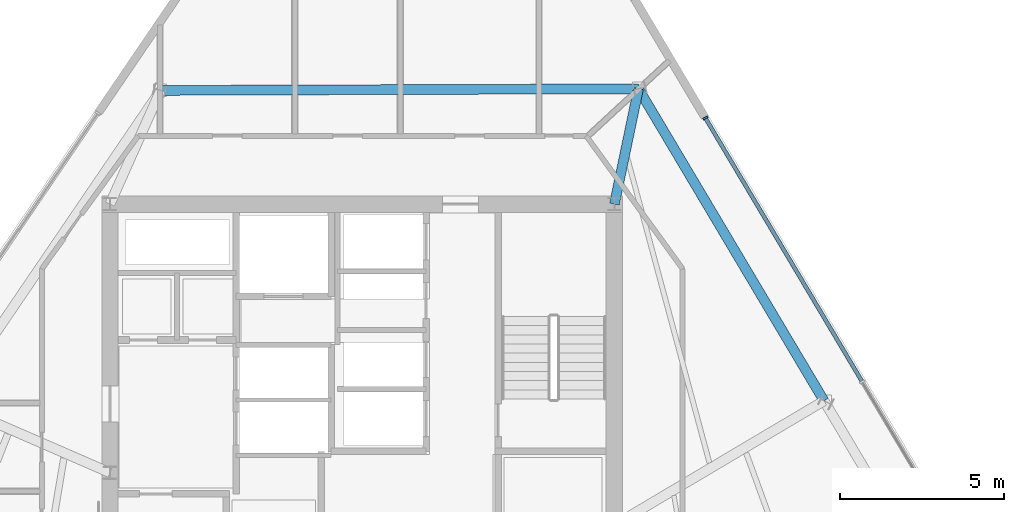
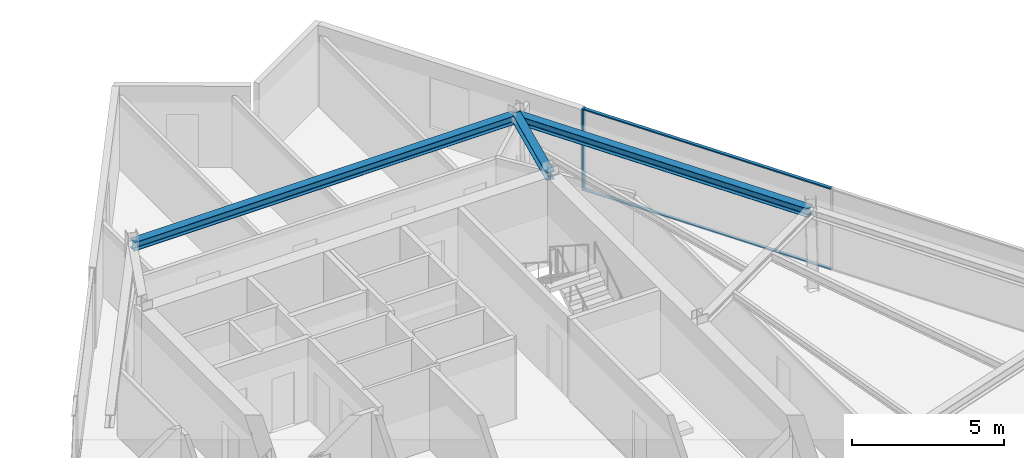
# One storey, part 6 of 14: 3 beams, 3 members, 1 element without a shape of its own.
"""IFC4 building model written with IfcOpenShell, lengths in metres."""

from ifc_helpers import new_model, si_unit, direction, frame, origin, origin_2d, place, context, subcontext, project, spatial, rectangle, i_section, extrude, material, material_profile, profile_set, type_object, element, aggregate, save


model = new_model("IFC4")

# Units and contexts
model_context = context("Model", 3, precision=1e-05, world=origin(), true_north=direction((0.0, 1.0)))
body_context = subcontext(model_context, "Body", "Model", "MODEL_VIEW")
ifc_project = project(units=[si_unit("LENGTHUNIT", "METRE"), si_unit("AREAUNIT", "SQUARE_METRE"), si_unit("VOLUMEUNIT", "CUBIC_METRE"), si_unit("PLANEANGLEUNIT", "RADIAN"), si_unit("MASSUNIT", "GRAM", prefix="KILO")], contexts=[model_context])

# Site, building, storey
site_placement = place(None, origin())
site = spatial("IfcSite", under=ifc_project, at=site_placement, CompositionType="ELEMENT")
building_placement = place(site_placement, origin())
building = spatial("IfcBuilding", under=site, at=building_placement, Name="Savorim Split Tower", CompositionType="ELEMENT")
storey_placement = place(building_placement, frame((0.0, 0.0, 237.89990234375)))
storey = spatial("IfcBuildingStorey", under=building, at=storey_placement, Name="L63", CompositionType="ELEMENT", Elevation=237.89990234375)

# Beams
ifc_material_1 = material(Name="Steel S355", Category="steel")
ifc_material_profile_1 = material_profile(ifc_material_1, i_section(OverallWidth=0.300048828125, OverallDepth=0.320068359375, WebThickness=0.011474609375, FlangeThickness=0.0205078125, FilletRadius=0.027099609375, at=origin_2d()), Name="HEB 320")
ifc_profile_set_1 = profile_set([ifc_material_profile_1], Name="Steel S355")
beam_type_1 = type_object("IfcBeamType", Name="BM-PRI-HEB320", PredefinedType="BEAM", material=ifc_profile_set_1)
beam_1_placement = place(storey_placement, frame((8.43505859375, 13.719482421875, 3.1201171875), z_axis=(-0.204453155369, -0.978876349321, 0.0), x_axis=(0.978876349321, -0.204453155369, 0.0)))
element("IfcBeam", 1, at=beam_1_placement, inside=storey, type_object=beam_type_1, Name="L63 Primary Floor Girder RG-07", PredefinedType="BEAM", context=body_context, shape_type="SweptSolid", body=[
    extrude(i_section(OverallWidth=0.300048828125, OverallDepth=0.320068359375, WebThickness=0.011474609375, FlangeThickness=0.0205078125, FilletRadius=0.027099609375, at=origin_2d()), origin(), (0.0, 0.0, 1.0), 3.595458984375),
])
ifc_material_profile_2 = material_profile(ifc_material_1, i_section(OverallWidth=0.300048828125, OverallDepth=0.35009765625, WebThickness=0.010009765625, FlangeThickness=0.017578125, FilletRadius=0.027099609375, at=origin_2d()), Name="HEA 360")
ifc_profile_set_2 = profile_set([ifc_material_profile_2], Name="Steel S355")
beam_type_2 = type_object("IfcBeamType", Name="BM-SPN-HEA360", PredefinedType="SPANDREL", material=ifc_profile_set_2)
beam_2_placement = place(storey_placement, frame((14.098876953125, 4.1943359375, 3.10498046875), z_axis=(-0.511089909517, 0.859527256339, 0.0), x_axis=(-0.859527256339, -0.511089909517, 0.0)))
element("IfcBeam", 2, at=beam_2_placement, inside=storey, type_object=beam_type_2, Name="L63 Perimeter Spandrel Beam 6", PredefinedType="SPANDREL", context=body_context, shape_type="SweptSolid", body=[
    extrude(i_section(OverallWidth=0.300048828125, OverallDepth=0.35009765625, WebThickness=0.010009765625, FlangeThickness=0.017578125, FilletRadius=0.027099609375, at=origin_2d()), origin(), (0.0, 0.0, 1.0), 11.081787109375),
])
beam_3_placement = place(storey_placement, frame((8.43505859375, 13.719482421875, 3.10498046875), z_axis=(-0.999994399404, -0.003346813479, 0.0), x_axis=(0.003346813479, -0.999994399404, 0.0)))
element("IfcBeam", 3, at=beam_3_placement, inside=storey, type_object=beam_type_2, Name="L63 Perimeter Spandrel Beam 7", PredefinedType="SPANDREL", context=body_context, shape_type="SweptSolid", body=[
    extrude(i_section(OverallWidth=0.300048828125, OverallDepth=0.35009765625, WebThickness=0.010009765625, FlangeThickness=0.017578125, FilletRadius=0.027099609375, at=origin_2d()), origin(), (0.0, 0.0, 1.0), 14.58935546875),
])

# Curtain wall, members
ifc_material_2 = material(Name="Dark Ceramic-Fritted Insulated Glass", Category="glass")
curtain_wall_type = type_object("IfcCurtainWallType", Name="CW-TWR-FRIT-B", PredefinedType="NOTDEFINED", material=ifc_material_2)
curtain_wall_placement = place(storey_placement, origin())
curtain_wall = element("IfcCurtainWall", 4, at=curtain_wall_placement, inside=storey, type_object=curtain_wall_type, Name="L63 Curtain Wall CW-L63-EAST", PredefinedType="NOTDEFINED")
ifc_material_3 = material(Name="Charcoal Anodised Aluminium", Category="aluminium")
ifc_material_profile_3 = material_profile(ifc_material_3, rectangle(XDim=0.159912109375, YDim=0.06005859375, at=origin_2d()), Name="ALU-M 160x60")
ifc_profile_set_3 = profile_set([ifc_material_profile_3], Name="Charcoal Anodised Aluminium")
member_type_1 = type_object("IfcMemberType", Name="CWM-160x60", PredefinedType="MULLION", material=ifc_profile_set_3)
member_1_placement = place(storey_placement, frame((10.47607421875, 12.830322265625, 0.0), z_axis=(0.0, 0.0, 1.0), x_axis=(-0.859523513249, -0.51109620442, 0.0)))
member_1 = element("IfcMember", 5, at=member_1_placement, type_object=member_type_1, Name="CW-03 mullion 4", PredefinedType="MULLION", context=body_context, shape_type="SweptSolid", body=[
    extrude(rectangle(XDim=0.159912109375, YDim=0.06005859375, at=origin_2d()), origin(), (0.0, 0.0, 1.0), 3.280029296875),
])
ifc_material_profile_4 = material_profile(ifc_material_3, rectangle(XDim=0.1201171875, YDim=0.050048828125, at=origin_2d()), Name="ALU-T 120x50")
ifc_profile_set_4 = profile_set([ifc_material_profile_4], Name="Charcoal Anodised Aluminium")
member_type_2 = type_object("IfcMemberType", Name="CWT-120x50", PredefinedType="USERDEFINED", material=ifc_profile_set_4)
member_2_placement = place(storey_placement, frame((15.2509765625, 4.80029296875, 0.025146484375), z_axis=(-0.511087432816, 0.859528729024, 0.0), x_axis=(-0.859528729024, -0.511087432816, 0.0)))
member_2 = element("IfcMember", 6, at=member_2_placement, type_object=member_type_2, Name="CW-03 transom 3.1", ObjectType="TRANSOM", PredefinedType="USERDEFINED", context=body_context, shape_type="SweptSolid", body=[
    extrude(rectangle(XDim=0.1201171875, YDim=0.050048828125, at=origin_2d()), origin(), (0.0, 0.0, 1.0), 9.3125),
])
member_3_placement = place(storey_placement, frame((15.2509765625, 4.80029296875, 3.255126953125), z_axis=(-0.511087432816, 0.859528729024, 0.0), x_axis=(-0.859528729024, -0.511087432816, 0.0)))
member_3 = element("IfcMember", 7, at=member_3_placement, type_object=member_type_2, Name="CW-03 transom 3.2", ObjectType="TRANSOM", PredefinedType="USERDEFINED", context=body_context, shape_type="SweptSolid", body=[
    extrude(rectangle(XDim=0.1201171875, YDim=0.050048828125, at=origin_2d()), origin(), (0.0, 0.0, 1.0), 9.3125),
])
aggregate(curtain_wall, [member_1, member_2, member_3])

save(model, "model.ifc")
